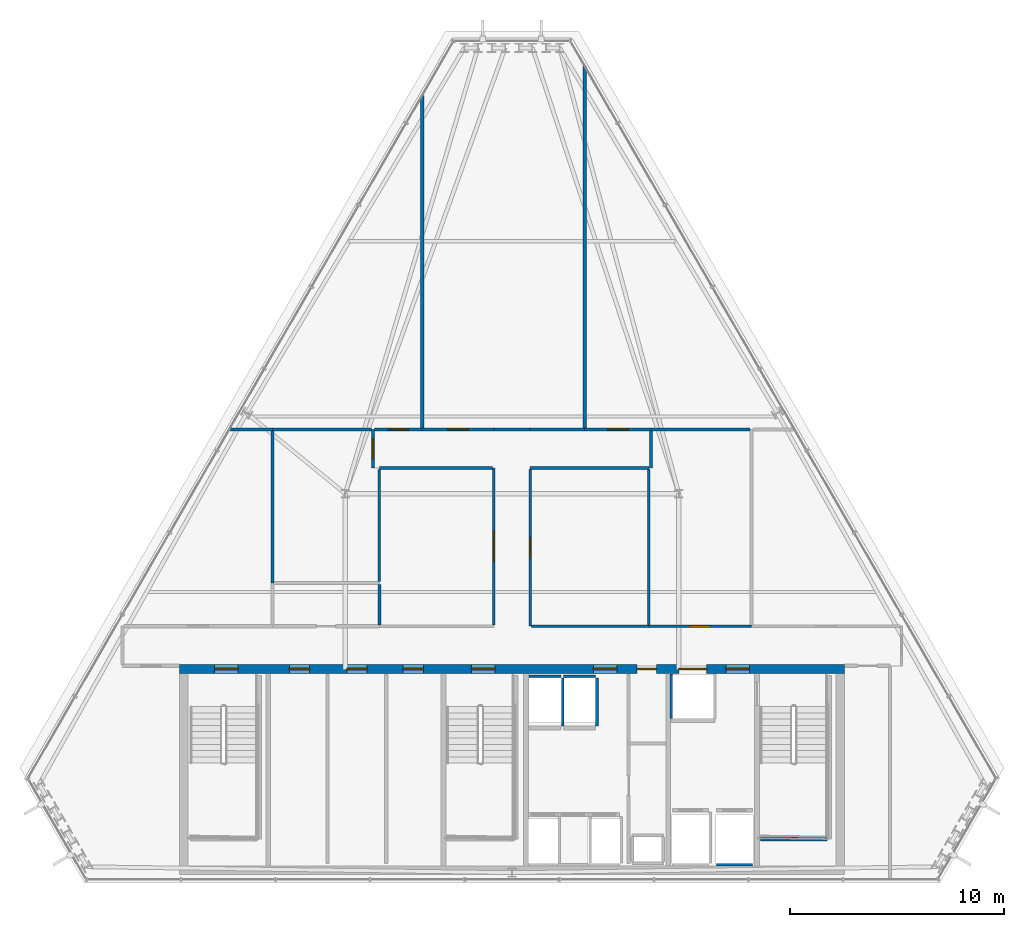
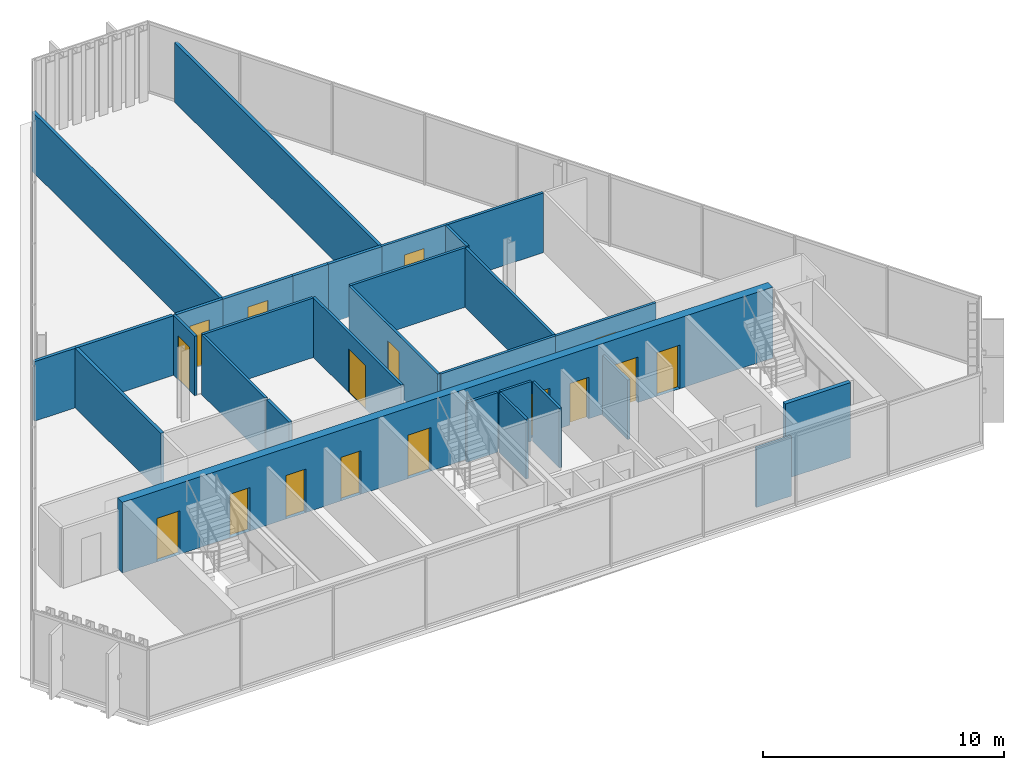
# One storey, part 30 of 34: 30 walls, 16 doors, 16 openings.
"""IFC4 building model written with IfcOpenShell, lengths in metres."""

import ifcopenshell
import ifcopenshell.guid

model = None  # the IFC model being written
_history = None  # IfcOwnerHistory: only IFC2X3 demands one
_inside = {}  # id of a spatial element -> (the spatial element, [elements in it])
_under = {}  # id of a project, library or spatial element -> (it, [spatial elements below it])
_declared = {}  # id of a project -> (the project, [libraries it declares])
_typed = {}  # id of a type object -> (the type object, [elements of that type])
_made_of = {}  # id of a material, layer set ... -> (it, [elements and type objects made of it])


def new_model(schema):
    """Start an empty IFC model of exactly this schema.

    Asked for "IFC4X3", IfcOpenShell would pick the latest addendum, in which some entities
    have other attributes; the version numbers below select the first issue.
    IFC2X3 requires an IfcOwnerHistory on every rooted entity: one is made here for all.
    """
    global model, _history
    if schema == "IFC4X3":
        model = ifcopenshell.file(schema_version=(4, 3, 0, 0))
    else:
        model = ifcopenshell.file(schema=schema)
    _inside.clear()
    _under.clear()
    _declared.clear()
    _typed.clear()
    _made_of.clear()
    _history = None
    if model.schema == "IFC2X3":
        org = make("IfcOrganization", Name="unknown")
        user = make(
            "IfcPersonAndOrganization",
            ThePerson=make("IfcPerson", FamilyName="unknown"),
            TheOrganization=org,
        )
        app = make(
            "IfcApplication",
            ApplicationDeveloper=org,
            Version="unknown",
            ApplicationFullName="unknown",
            ApplicationIdentifier="unknown",
        )
        _history = make(
            "IfcOwnerHistory",
            OwningUser=user,
            OwningApplication=app,
            ChangeAction="ADDED",
            CreationDate=0,
        )
    return model


def make(cls, **values):
    """One entity of the class cls with the attributes given. An attribute that is None is left unset."""
    return model.create_entity(
        cls, **{name: value for name, value in values.items() if value is not None}
    )


def rooted(cls, **values):
    """An entity with a GlobalId (a new one), such as an element, a storey or a relation."""
    return make(cls, GlobalId=ifcopenshell.guid.new(), OwnerHistory=_history, **values)


def si_unit(unit_type, name, prefix=None):
    """IfcSIUnit, for example si_unit("LENGTHUNIT", "METRE", prefix="MILLI")."""
    return make("IfcSIUnit", UnitType=unit_type, Prefix=prefix, Name=name)


def assignment(units):
    """IfcUnitAssignment: the units of a project."""
    return None if units is None else make("IfcUnitAssignment", Units=units)


def point(xyz):
    """IfcCartesianPoint."""
    return None if xyz is None else make("IfcCartesianPoint", Coordinates=xyz)


def direction(xyz):
    """IfcDirection."""
    return None if xyz is None else make("IfcDirection", DirectionRatios=xyz)


def frame(location, z_axis=None, x_axis=None):
    """IfcAxis2Placement3D, a coordinate frame: its origin and axes. An axis left out is left unset."""
    return make(
        "IfcAxis2Placement3D",
        Location=point(location),
        Axis=direction(z_axis),
        RefDirection=direction(x_axis),
    )


def frame_2d(location, x_axis=None):
    """IfcAxis2Placement2D, a coordinate frame in the plane: its origin and x axis."""
    return make(
        "IfcAxis2Placement2D", Location=point(location), RefDirection=direction(x_axis)
    )


def origin():
    """The frame at (0, 0, 0) with its axes left unset."""
    return frame((0.0, 0.0, 0.0))


def place(relative_to, where):
    """IfcLocalPlacement: puts the frame where relative to a parent placement (None: the world)."""
    return make(
        "IfcLocalPlacement", PlacementRelTo=relative_to, RelativePlacement=where
    )


def context(
    kind, dimensions, precision=None, world=None, true_north=None, identifier=None
):
    """IfcGeometricRepresentationContext, for example the 3D "Model" context."""
    return make(
        "IfcGeometricRepresentationContext",
        ContextIdentifier=identifier,
        ContextType=kind,
        CoordinateSpaceDimension=dimensions,
        Precision=precision,
        WorldCoordinateSystem=world,
        TrueNorth=true_north,
    )


def subcontext(parent, identifier, kind, view, scale=None):
    """IfcGeometricRepresentationSubContext, for example "Body" below "Model"."""
    return make(
        "IfcGeometricRepresentationSubContext",
        ContextIdentifier=identifier,
        ContextType=kind,
        ParentContext=parent,
        TargetScale=scale,
        TargetView=view,
    )


def project(units=None, contexts=None):
    """IfcProject with its units and contexts."""
    return rooted(
        "IfcProject",
        Name="project",
        RepresentationContexts=contexts,
        UnitsInContext=assignment(units),
    )


def spatial(cls, under=None, at=None, **own):
    """A site, building, storey or space (cls), placed at a placement, below another one or the project."""
    s = rooted(cls, ObjectPlacement=at, **own)
    if under is not None:
        _under.setdefault(under.id(), (under, []))[1].append(s)
    return s


def profile(cls, at=None, kind="AREA", **sizes):
    """A parametric profile (cls). Its sizes go by their IFC names, for example OverallWidth=200.0."""
    return make(cls, ProfileType=kind, Position=at, **sizes)


def rectangle(**sizes):
    """IfcRectangleProfileDef."""
    return profile("IfcRectangleProfileDef", **sizes)


def extrude(swept, where, along, depth):
    """IfcExtrudedAreaSolid: the profile swept, set in the frame where, extruded along a direction by depth."""
    return make(
        "IfcExtrudedAreaSolid",
        SweptArea=swept,
        Position=where,
        ExtrudedDirection=direction(along),
        Depth=depth,
    )


def shape(context_of_items, identifier, shape_type, items):
    """IfcShapeRepresentation: the items that make up one representation, for example the "Body"."""
    return make(
        "IfcShapeRepresentation",
        ContextOfItems=context_of_items,
        RepresentationIdentifier=identifier,
        RepresentationType=shape_type,
        Items=items,
    )


def material(Name=None, Category=None):
    """IfcMaterial."""
    return make("IfcMaterial", Name=Name, Category=Category)


def layer(
    of_material, thickness, ventilated=None, Name=None, Category=None, Priority=None
):
    """IfcMaterialLayer: one layer of a wall or slab, of a material (None: an air gap)."""
    return make(
        "IfcMaterialLayer",
        Material=of_material,
        LayerThickness=thickness,
        IsVentilated=ventilated,
        Name=Name,
        Category=Category,
        Priority=Priority,
    )


def layer_set(layers, Name=None):
    """IfcMaterialLayerSet."""
    return make("IfcMaterialLayerSet", MaterialLayers=layers, LayerSetName=Name)


def made_of(thing, what):
    """Note that an element or type object is made of a material, layer set ...; save() writes the relation."""
    if what is not None:
        _made_of.setdefault(what.id(), (what, []))[1].append(thing)
    return thing


def type_object(cls, material=None, **own):
    """A type object (cls), such as IfcWallType, which elements share."""
    return made_of(rooted(cls, **own), material)


def element(
    cls,
    number,
    at=None,
    inside=None,
    cuts=None,
    type_object=None,
    material=None,
    context=None,
    identifier="Body",
    shape_type=None,
    held_by="IfcProductDefinitionShape",
    body=None,
    shapes=None,
    **own,
):
    """One element of the class cls, such as IfcWall. Its Tag is "e" and its number.

    at: its placement. inside: the storey or other place that contains it. cuts: it is an
    opening in that element (IfcRelVoidsElement). A single representation is given by context,
    identifier, shape_type and body (its items); several are given by shapes. held_by: the class
    of the entity that holds the representations. save() writes the other relations.
    """
    e = rooted(cls, Tag="e%d" % number, ObjectPlacement=at, **own)
    if body is not None:
        shapes = [shape(context, identifier, shape_type, body)]
    if shapes is not None:
        e.Representation = make(held_by, Representations=shapes)
    if inside is not None:
        _inside.setdefault(inside.id(), (inside, []))[1].append(e)
    if cuts is not None:
        rooted(
            "IfcRelVoidsElement", RelatingBuildingElement=cuts, RelatedOpeningElement=e
        )
    if type_object is not None:
        _typed.setdefault(type_object.id(), (type_object, []))[1].append(e)
    return made_of(e, material)


def fill(opening, filler):
    """IfcRelFillsElement: the door or window that sits in an opening."""
    return rooted(
        "IfcRelFillsElement",
        RelatingOpeningElement=opening,
        RelatedBuildingElement=filler,
    )


def aggregate(whole, parts):
    """IfcRelAggregates: a whole, such as a stair, and the parts it consists of."""
    return rooted("IfcRelAggregates", RelatingObject=whole, RelatedObjects=parts)


def save(model, path):
    """Write the relations noted so far, then the file.

    IfcRelAggregates (storeys below a building ...), IfcRelContainedInSpatialStructure (elements
    in a storey), IfcRelDefinesByType, IfcRelAssociatesMaterial and IfcRelDeclares: one each for
    every whole, place, type object, material and project.
    """
    for whole, parts in _under.values():
        aggregate(whole, parts)
    for where, things in _inside.values():
        rooted(
            "IfcRelContainedInSpatialStructure",
            RelatedElements=things,
            RelatingStructure=where,
        )
    for kind, things in _typed.values():
        rooted("IfcRelDefinesByType", RelatedObjects=things, RelatingType=kind)
    for what, things in _made_of.values():
        rooted("IfcRelAssociatesMaterial", RelatedObjects=things, RelatingMaterial=what)
    for by, libraries in _declared.values():
        rooted("IfcRelDeclares", RelatingContext=by, RelatedDefinitions=libraries)
    model.write(path)


model = new_model("IFC4")

# Units and contexts
model_context = context("Model", 3, precision=1e-05, world=origin(), true_north=direction((0.0, 1.0)))
body_context = subcontext(model_context, "Body", "Model", "MODEL_VIEW")
ifc_project = project(units=[si_unit("LENGTHUNIT", "METRE"), si_unit("AREAUNIT", "SQUARE_METRE"), si_unit("VOLUMEUNIT", "CUBIC_METRE"), si_unit("PLANEANGLEUNIT", "RADIAN"), si_unit("MASSUNIT", "GRAM", prefix="KILO")], contexts=[model_context])

# Site, building, storey
site_placement = place(None, origin())
site = spatial("IfcSite", under=ifc_project, at=site_placement, CompositionType="ELEMENT")
building_placement = place(site_placement, origin())
building = spatial("IfcBuilding", under=site, at=building_placement, Name="Ndaravel Arena Tower", CompositionType="ELEMENT")
storey_placement = place(building_placement, frame((0.0, 0.0, 263.60009765625)))
storey = spatial("IfcBuildingStorey", under=building, at=storey_placement, Name="L64", CompositionType="ELEMENT", Elevation=263.60009765625)

# Wall, openings, doors
ifc_material_1 = material(Name="Concrete C50/60", Category="concrete")
ifc_layer_1 = layer(ifc_material_1, 0.39990234375)
ifc_layer_set_1 = layer_set([ifc_layer_1], Name="Concrete C50/60")
wall_type_1 = type_object("IfcWallType", Name="WALL-CORE-400", PredefinedType="SOLIDWALL", material=ifc_layer_set_1)
wall_1_placement = place(storey_placement, frame((26.449951171875, 15.0, 0.0), z_axis=(0.0, 0.0, 1.0), x_axis=(1.0, 0.0, 0.0)))
wall_1 = element("IfcWall", 1, at=wall_1_placement, inside=storey, type_object=wall_type_1, Name="L64 Core North Shear Wall", PredefinedType="SOLIDWALL", context=body_context, shape_type="SweptSolid", body=[
    extrude(rectangle(XDim=31.10009765625, YDim=0.39990234375, at=frame_2d((15.550048828125, 0.0))), origin(), (0.0, 0.0, 1.0), 3.579833984375),
])
opening_1_placement = place(wall_1_placement, frame((1.64990234375, 0.0, 0.0)))
opening_1 = element("IfcOpeningElement", 2, at=opening_1_placement, cuts=wall_1, Name="Opening FD-01", PredefinedType="OPENING", context=body_context, shape_type="SweptSolid", body=[
    extrude(rectangle(XDim=1.10009765625, YDim=2.199951171875, at=frame_2d((0.550048828125, 1.10009765625))), frame((0.0, 0.199951171875, 0.0), z_axis=(0.0, -1.0, 0.0), x_axis=(1.0, 0.0, 0.0)), (0.0, 0.0, 1.0), 0.39990234375),
])
opening_2_placement = place(wall_1_placement, frame((13.64990234375, 0.0, 0.0)))
opening_2 = element("IfcOpeningElement", 3, at=opening_2_placement, cuts=wall_1, Name="Opening FD-01", PredefinedType="OPENING", context=body_context, shape_type="SweptSolid", body=[
    extrude(rectangle(XDim=1.10009765625, YDim=2.199951171875, at=frame_2d((0.550048828125, 1.10009765625))), frame((0.0, 0.199951171875, 0.0), z_axis=(0.0, -1.0, 0.0), x_axis=(1.0, 0.0, 0.0)), (0.0, 0.0, 1.0), 0.39990234375),
])
opening_3_placement = place(wall_1_placement, frame((25.550048828125, 0.0, 0.0)))
opening_3 = element("IfcOpeningElement", 4, at=opening_3_placement, cuts=wall_1, Name="Opening FD-01", PredefinedType="OPENING", context=body_context, shape_type="SweptSolid", body=[
    extrude(rectangle(XDim=1.10009765625, YDim=2.199951171875, at=frame_2d((0.550048828125, 1.10009765625))), frame((0.0, 0.199951171875, 0.0), z_axis=(0.0, -1.0, 0.0), x_axis=(1.0, 0.0, 0.0)), (0.0, 0.0, 1.0), 0.39990234375),
])
opening_4_placement = place(wall_1_placement, frame((19.35009765625, 0.0, 0.0)))
opening_4 = element("IfcOpeningElement", 5, at=opening_4_placement, cuts=wall_1, Name="Opening FD-01", PredefinedType="OPENING", context=body_context, shape_type="SweptSolid", body=[
    extrude(rectangle(XDim=1.10009765625, YDim=2.199951171875, at=frame_2d((0.550048828125, 1.10009765625))), frame((0.0, 0.199951171875, 0.0), z_axis=(0.0, -1.0, 0.0), x_axis=(1.0, 0.0, 0.0)), (0.0, 0.0, 1.0), 0.39990234375),
])
opening_5_placement = place(wall_1_placement, frame((21.39990234375, 0.0, 0.0)))
opening_5 = element("IfcOpeningElement", 6, at=opening_5_placement, cuts=wall_1, Name="Opening RD-01", PredefinedType="OPENING", context=body_context, shape_type="SweptSolid", body=[
    extrude(rectangle(XDim=0.89990234375, YDim=2.10009765625, at=frame_2d((0.449951171875, 1.050048828125))), frame((0.0, 0.199951171875, 0.0), z_axis=(0.0, -1.0, 0.0), x_axis=(1.0, 0.0, 0.0)), (0.0, 0.0, 1.0), 0.39990234375),
])
opening_6_placement = place(wall_1_placement, frame((5.139892578125, 0.0, 0.0)))
opening_6 = element("IfcOpeningElement", 7, at=opening_6_placement, cuts=wall_1, Name="Opening FD-03", PredefinedType="OPENING", context=body_context, shape_type="SweptSolid", body=[
    extrude(rectangle(XDim=0.949951171875, YDim=2.199951171875, at=frame_2d((0.47509765625, 1.10009765625))), frame((0.0, 0.199951171875, 0.0), z_axis=(0.0, -1.0, 0.0), x_axis=(1.0, 0.0, 0.0)), (0.0, 0.0, 1.0), 0.39990234375),
])
opening_7_placement = place(wall_1_placement, frame((7.824951171875, 0.0, 0.0)))
opening_7 = element("IfcOpeningElement", 8, at=opening_7_placement, cuts=wall_1, Name="Opening FD-03", PredefinedType="OPENING", context=body_context, shape_type="SweptSolid", body=[
    extrude(rectangle(XDim=0.949951171875, YDim=2.199951171875, at=frame_2d((0.47509765625, 1.10009765625))), frame((0.0, 0.199951171875, 0.0), z_axis=(0.0, -1.0, 0.0), x_axis=(1.0, 0.0, 0.0)), (0.0, 0.0, 1.0), 0.39990234375),
])
opening_8_placement = place(wall_1_placement, frame((10.4599609375, 0.0, 0.0)))
opening_8 = element("IfcOpeningElement", 9, at=opening_8_placement, cuts=wall_1, Name="Opening FD-03", PredefinedType="OPENING", context=body_context, shape_type="SweptSolid", body=[
    extrude(rectangle(XDim=0.949951171875, YDim=2.199951171875, at=frame_2d((0.47509765625, 1.10009765625))), frame((0.0, 0.199951171875, 0.0), z_axis=(0.0, -1.0, 0.0), x_axis=(1.0, 0.0, 0.0)), (0.0, 0.0, 1.0), 0.39990234375),
])
opening_9_placement = place(wall_1_placement, frame((23.35009765625, 0.0, 0.0)))
opening_9 = element("IfcOpeningElement", 10, at=opening_9_placement, cuts=wall_1, Name="Opening LD-02", PredefinedType="OPENING", context=body_context, shape_type="SweptSolid", body=[
    extrude(rectangle(XDim=1.300048828125, YDim=2.300048828125, at=frame_2d((0.64990234375, 1.14990234375))), frame((0.0, 0.199951171875, 0.0), z_axis=(0.0, -1.0, 0.0), x_axis=(1.0, 0.0, 0.0)), (0.0, 0.0, 1.0), 0.39990234375),
])
ifc_material_2 = material(Name="Steel S355", Category="steel")
door_type_1 = type_object("IfcDoorType", Name="DT-01-STAIR-1100", OperationType="SINGLE_SWING_LEFT", PredefinedType="DOOR", material=ifc_material_2)
door_1_placement = place(opening_1_placement, origin())
door_1 = element("IfcDoor", 11, at=door_1_placement, inside=storey, type_object=door_type_1, Name="L64 Exit Stair ST-1 Door", OperationType="SINGLE_SWING_LEFT", OverallHeight=2.199951171875, OverallWidth=1.10009765625, PredefinedType="DOOR", context=body_context, shape_type="SweptSolid", body=[
    extrude(rectangle(XDim=1.10009765625, YDim=2.199951171875, at=frame_2d((0.550048828125, 1.10009765625))), frame((0.0, 0.02490234375, 0.0), z_axis=(0.0, -1.0, 0.0), x_axis=(1.0, 0.0, 0.0)), (0.0, 0.0, 1.0), 0.050048828125),
])
fill(opening_1, door_1)
door_2_placement = place(opening_2_placement, origin())
door_2 = element("IfcDoor", 12, at=door_2_placement, inside=storey, type_object=door_type_1, Name="L64 Exit Stair ST-2 Door", OperationType="SINGLE_SWING_RIGHT", OverallHeight=2.199951171875, OverallWidth=1.10009765625, PredefinedType="DOOR", context=body_context, shape_type="SweptSolid", body=[
    extrude(rectangle(XDim=1.10009765625, YDim=2.199951171875, at=frame_2d((0.550048828125, 1.10009765625))), frame((0.0, 0.02490234375, 0.0), z_axis=(0.0, -1.0, 0.0), x_axis=(1.0, 0.0, 0.0)), (0.0, 0.0, 1.0), 0.050048828125),
])
fill(opening_2, door_2)
door_3_placement = place(opening_3_placement, origin())
door_3 = element("IfcDoor", 13, at=door_3_placement, inside=storey, type_object=door_type_1, Name="L64 Firefighting Lift Lobby Door", OperationType="SINGLE_SWING_RIGHT", OverallHeight=2.199951171875, OverallWidth=1.10009765625, PredefinedType="DOOR", context=body_context, shape_type="SweptSolid", body=[
    extrude(rectangle(XDim=1.10009765625, YDim=2.199951171875, at=frame_2d((0.550048828125, 1.10009765625))), frame((0.0, 0.02490234375, 0.0), z_axis=(0.0, -1.0, 0.0), x_axis=(1.0, 0.0, 0.0)), (0.0, 0.0, 1.0), 0.050048828125),
])
fill(opening_3, door_3)
door_4_placement = place(opening_4_placement, origin())
door_4 = element("IfcDoor", 14, at=door_4_placement, inside=storey, type_object=door_type_1, Name="L64 Express Lift Lobby Entry Door", OperationType="SINGLE_SWING_LEFT", OverallHeight=2.199951171875, OverallWidth=1.10009765625, PredefinedType="DOOR", context=body_context, shape_type="SweptSolid", body=[
    extrude(rectangle(XDim=1.10009765625, YDim=2.199951171875, at=frame_2d((0.550048828125, 1.10009765625))), frame((0.0, 0.02490234375, 0.0), z_axis=(0.0, -1.0, 0.0), x_axis=(1.0, 0.0, 0.0)), (0.0, 0.0, 1.0), 0.050048828125),
])
fill(opening_4, door_4)
ifc_material_3 = material(Name="Steel S355", Category="steel")
door_type_2 = type_object("IfcDoorType", Name="DT-07-SVLIFT-1300", OperationType="DOUBLE_DOOR_SLIDING", PredefinedType="DOOR", material=ifc_material_3)
door_5_placement = place(opening_9_placement, origin())
door_5 = element("IfcDoor", 15, at=door_5_placement, inside=storey, type_object=door_type_2, Name="L64 Lift SVL-1 Sliding Landing Door", OperationType="DOUBLE_DOOR_SLIDING", OverallHeight=2.300048828125, OverallWidth=1.300048828125, PredefinedType="DOOR", context=body_context, shape_type="SweptSolid", body=[
    extrude(rectangle(XDim=1.300048828125, YDim=2.300048828125, at=frame_2d((0.64990234375, 1.14990234375))), frame((0.0, 0.02490234375, 0.0), z_axis=(0.0, -1.0, 0.0), x_axis=(1.0, 0.0, 0.0)), (0.0, 0.0, 1.0), 0.050048828125),
])
fill(opening_9, door_5)
ifc_material_4 = material(Name="Steel S355", Category="steel")
door_type_3 = type_object("IfcDoorType", Name="DT-08-RISER-900", OperationType="SINGLE_SWING_LEFT", PredefinedType="DOOR", material=ifc_material_4)
door_6_placement = place(opening_5_placement, origin())
door_6 = element("IfcDoor", 16, at=door_6_placement, inside=storey, type_object=door_type_3, Name="L64 Core Service Riser North Door", OperationType="SINGLE_SWING_LEFT", OverallHeight=2.10009765625, OverallWidth=0.89990234375, PredefinedType="DOOR", context=body_context, shape_type="SweptSolid", body=[
    extrude(rectangle(XDim=0.89990234375, YDim=2.10009765625, at=frame_2d((0.449951171875, 1.050048828125))), frame((0.0, 0.02490234375, 0.0), z_axis=(0.0, -1.0, 0.0), x_axis=(1.0, 0.0, 0.0)), (0.0, 0.0, 1.0), 0.050048828125),
])
fill(opening_5, door_6)
ifc_material_5 = material(Name="Steel S355", Category="steel")
door_type_4 = type_object("IfcDoorType", Name="DT-11-CORE-950", OperationType="SINGLE_SWING_LEFT", PredefinedType="DOOR", material=ifc_material_5)
door_7_placement = place(opening_6_placement, origin())
door_7 = element("IfcDoor", 17, at=door_7_placement, inside=storey, type_object=door_type_4, Name="L64 High-Zone Reclaimed Core Room 1 Door", OperationType="SINGLE_SWING_LEFT", OverallHeight=2.199951171875, OverallWidth=0.949951171875, PredefinedType="DOOR", context=body_context, shape_type="SweptSolid", body=[
    extrude(rectangle(XDim=0.949951171875, YDim=2.199951171875, at=frame_2d((0.47509765625, 1.10009765625))), frame((0.0, 0.02490234375, 0.0), z_axis=(0.0, -1.0, 0.0), x_axis=(1.0, 0.0, 0.0)), (0.0, 0.0, 1.0), 0.050048828125),
])
fill(opening_6, door_7)
door_8_placement = place(opening_7_placement, origin())
door_8 = element("IfcDoor", 18, at=door_8_placement, inside=storey, type_object=door_type_4, Name="L64 High-Zone Reclaimed Core Room 2 Door", OperationType="SINGLE_SWING_RIGHT", OverallHeight=2.199951171875, OverallWidth=0.949951171875, PredefinedType="DOOR", context=body_context, shape_type="SweptSolid", body=[
    extrude(rectangle(XDim=0.949951171875, YDim=2.199951171875, at=frame_2d((0.47509765625, 1.10009765625))), frame((0.0, 0.02490234375, 0.0), z_axis=(0.0, -1.0, 0.0), x_axis=(1.0, 0.0, 0.0)), (0.0, 0.0, 1.0), 0.050048828125),
])
fill(opening_7, door_8)
door_9_placement = place(opening_8_placement, origin())
door_9 = element("IfcDoor", 19, at=door_9_placement, inside=storey, type_object=door_type_4, Name="L64 High-Zone Reclaimed Core Room 3 Door", OperationType="SINGLE_SWING_LEFT", OverallHeight=2.199951171875, OverallWidth=0.949951171875, PredefinedType="DOOR", context=body_context, shape_type="SweptSolid", body=[
    extrude(rectangle(XDim=0.949951171875, YDim=2.199951171875, at=frame_2d((0.47509765625, 1.10009765625))), frame((0.0, 0.02490234375, 0.0), z_axis=(0.0, -1.0, 0.0), x_axis=(1.0, 0.0, 0.0)), (0.0, 0.0, 1.0), 0.050048828125),
])
fill(opening_8, door_9)

# Wall, opening, door
ifc_material_6 = material(Name="Gypsum", Category="gypsum")
ifc_layer_2 = layer(ifc_material_6, 0.125)
ifc_layer_set_2 = layer_set([ifc_layer_2], Name="Gypsum")
wall_type_2 = type_object("IfcWallType", Name="WALL-PART-125", PredefinedType="PARTITIONING", material=ifc_layer_set_2)
wall_2_placement = place(storey_placement, frame((41.14990234375, 17.06494140625, 0.0), z_axis=(0.0, 0.0, 1.0), x_axis=(0.0, 1.0, 0.0)))
wall_2 = element("IfcWall", 20, at=wall_2_placement, inside=storey, type_object=wall_type_2, Name="L64 Interior Partition 008", PredefinedType="PARTITIONING", context=body_context, shape_type="SweptSolid", body=[
    extrude(rectangle(XDim=7.3349609375, YDim=0.125, at=frame_2d((3.66748046875, 0.0))), origin(), (0.0, 0.0, 1.0), 3.010498046875),
])
opening_10_placement = place(wall_2_placement, frame((2.967529296875, 0.0, 0.0)))
opening_10 = element("IfcOpeningElement", 21, at=opening_10_placement, cuts=wall_2, Name="Opening ID-02", PredefinedType="OPENING", context=body_context, shape_type="SweptSolid", body=[
    extrude(rectangle(XDim=1.39990234375, YDim=2.199951171875, at=frame_2d((0.699951171875, 1.10009765625))), frame((0.0, 0.0625, 0.0), z_axis=(0.0, -1.0, 0.0), x_axis=(1.0, 0.0, 0.0)), (0.0, 0.0, 1.0), 0.125),
])
ifc_material_7 = material(Name="Timber", Category="wood")
door_type_5 = type_object("IfcDoorType", Name="DT-04-SUITE-1400", OperationType="DOUBLE_DOOR_SINGLE_SWING", PredefinedType="DOOR", material=ifc_material_7)
door_10_placement = place(opening_10_placement, origin())
door_10 = element("IfcDoor", 22, at=door_10_placement, inside=storey, type_object=door_type_5, Name="L64 Collaborative Lounge Door", OperationType="SINGLE_SWING_LEFT", OverallHeight=2.199951171875, OverallWidth=1.39990234375, PredefinedType="DOOR", context=body_context, shape_type="SweptSolid", body=[
    extrude(rectangle(XDim=1.39990234375, YDim=2.199951171875, at=frame_2d((0.699951171875, 1.10009765625))), frame((0.0, 0.02490234375, 0.0), z_axis=(0.0, -1.0, 0.0), x_axis=(1.0, 0.0, 0.0)), (0.0, 0.0, 1.0), 0.050048828125),
])
fill(opening_10, door_10)

# Wall
wall_3_placement = place(storey_placement, frame((41.0849609375, 24.39990234375, 0.0), z_axis=(0.0, 0.0, 1.0), x_axis=(-1.0, 0.0, 0.0)))
element("IfcWall", 23, at=wall_3_placement, inside=storey, type_object=wall_type_2, Name="L64 Interior Partition 009", PredefinedType="PARTITIONING", context=body_context, shape_type="SweptSolid", body=[
    extrude(rectangle(XDim=5.284912109375, YDim=0.125, at=frame_2d((2.642578125, 0.0))), origin(), (0.0, 0.0, 1.0), 3.010498046875),
])

# Wall, opening, door
wall_4_placement = place(storey_placement, frame((35.5, 24.39990234375, 0.0), z_axis=(0.0, 0.0, 1.0), x_axis=(0.0, 1.0, 0.0)))
wall_4 = element("IfcWall", 24, at=wall_4_placement, inside=storey, type_object=wall_type_2, Name="L64 Interior Partition 010", PredefinedType="PARTITIONING", context=body_context, shape_type="SweptSolid", body=[
    extrude(rectangle(XDim=1.800048828125, YDim=0.125, at=frame_2d((0.89990234375, 0.0))), origin(), (0.0, 0.0, 1.0), 3.010498046875),
])
opening_11_placement = place(wall_4_placement, frame((0.425048828125, 0.0, 0.0)))
opening_11 = element("IfcOpeningElement", 25, at=opening_11_placement, cuts=wall_4, Name="Opening ID-01", PredefinedType="OPENING", context=body_context, shape_type="SweptSolid", body=[
    extrude(rectangle(XDim=0.949951171875, YDim=2.199951171875, at=frame_2d((0.47509765625, 1.10009765625))), frame((0.0, 0.0625, 0.0), z_axis=(0.0, -1.0, 0.0), x_axis=(1.0, 0.0, 0.0)), (0.0, 0.0, 1.0), 0.125),
])
ifc_material_8 = material(Name="Timber", Category="wood")
door_type_6 = type_object("IfcDoorType", Name="DT-03-OFFICE-950", OperationType="SINGLE_SWING_LEFT", PredefinedType="DOOR", material=ifc_material_8)
door_11_placement = place(opening_11_placement, origin())
door_11 = element("IfcDoor", 26, at=door_11_placement, inside=storey, type_object=door_type_6, Name="L64 Medical First Aid Clinic 3 Door", OperationType="SINGLE_SWING_RIGHT", OverallHeight=2.199951171875, OverallWidth=0.949951171875, PredefinedType="DOOR", context=body_context, shape_type="SweptSolid", body=[
    extrude(rectangle(XDim=0.949951171875, YDim=2.199951171875, at=frame_2d((0.47509765625, 1.10009765625))), frame((0.0, 0.02490234375, 0.0), z_axis=(0.0, -1.0, 0.0), x_axis=(1.0, 0.0, 0.0)), (0.0, 0.0, 1.0), 0.050048828125),
])
fill(opening_11, door_11)

wall_5_placement = place(storey_placement, frame((45.39990234375, 26.199951171875, 0.0), z_axis=(0.0, 0.0, 1.0), x_axis=(1.0, 0.0, 0.0)))
wall_5 = element("IfcWall", 27, at=wall_5_placement, inside=storey, type_object=wall_type_2, Name="L64 Interior Partition 015", PredefinedType="PARTITIONING", context=body_context, shape_type="SweptSolid", body=[
    extrude(rectangle(XDim=3.10009765625, YDim=0.125, at=frame_2d((1.550048828125, 0.0))), origin(), (0.0, 0.0, 1.0), 3.010498046875),
])
opening_12_placement = place(wall_5_placement, frame((1.074951171875, 0.0, 0.0)))
opening_12 = element("IfcOpeningElement", 28, at=opening_12_placement, cuts=wall_5, Name="Opening ID-01", PredefinedType="OPENING", context=body_context, shape_type="SweptSolid", body=[
    extrude(rectangle(XDim=0.949951171875, YDim=2.199951171875, at=frame_2d((0.47509765625, 1.10009765625))), frame((0.0, 0.0625, 0.0), z_axis=(0.0, -1.0, 0.0), x_axis=(1.0, 0.0, 0.0)), (0.0, 0.0, 1.0), 0.125),
])
door_12_placement = place(opening_12_placement, origin())
door_12 = element("IfcDoor", 29, at=door_12_placement, inside=storey, type_object=door_type_6, Name="L64 Physio Therapy Room 4 Door", OperationType="SINGLE_SWING_RIGHT", OverallHeight=2.199951171875, OverallWidth=0.949951171875, PredefinedType="DOOR", context=body_context, shape_type="SweptSolid", body=[
    extrude(rectangle(XDim=0.949951171875, YDim=2.199951171875, at=frame_2d((0.47509765625, 1.10009765625))), frame((0.0, 0.02490234375, 0.0), z_axis=(0.0, -1.0, 0.0), x_axis=(1.0, 0.0, 0.0)), (0.0, 0.0, 1.0), 0.050048828125),
])
fill(opening_12, door_12)

# Walls
wall_6_placement = place(storey_placement, frame((48.5, 26.135009765625, 0.0), z_axis=(0.0, 0.0, 1.0), x_axis=(0.0, -1.0, 0.0)))
element("IfcWall", 30, at=wall_6_placement, inside=storey, type_object=wall_type_2, Name="L64 Interior Partition 016", PredefinedType="PARTITIONING", context=body_context, shape_type="SweptSolid", body=[
    extrude(rectangle(XDim=1.735107421875, YDim=0.125, at=frame_2d((0.86767578125, 0.0))), origin(), (0.0, 0.0, 1.0), 3.010498046875),
])
wall_7_placement = place(storey_placement, frame((48.39990234375, 24.39990234375, 0.0), z_axis=(0.0, 0.0, 1.0), x_axis=(-1.0, 0.0, 0.0)))
element("IfcWall", 31, at=wall_7_placement, inside=storey, type_object=wall_type_2, Name="L64 Interior Partition 017", PredefinedType="PARTITIONING", context=body_context, shape_type="SweptSolid", body=[
    extrude(rectangle(XDim=5.5498046875, YDim=0.125, at=frame_2d((2.77490234375, 0.0))), origin(), (0.0, 0.0, 1.0), 3.010498046875),
])

# Wall, opening, door
wall_8_placement = place(storey_placement, frame((42.85009765625, 24.3349609375, 0.0), z_axis=(0.0, 0.0, 1.0), x_axis=(0.0, -1.0, 0.0)))
wall_8 = element("IfcWall", 32, at=wall_8_placement, inside=storey, type_object=wall_type_2, Name="L64 Interior Partition 018", PredefinedType="PARTITIONING", context=body_context, shape_type="SweptSolid", body=[
    extrude(rectangle(XDim=7.3349609375, YDim=0.125, at=frame_2d((3.66748046875, 0.0))), origin(), (0.0, 0.0, 1.0), 3.010498046875),
])
opening_13_placement = place(wall_8_placement, frame((3.1923828125, 0.0, 0.0)))
opening_13 = element("IfcOpeningElement", 33, at=opening_13_placement, cuts=wall_8, Name="Opening ID-01", PredefinedType="OPENING", context=body_context, shape_type="SweptSolid", body=[
    extrude(rectangle(XDim=0.949951171875, YDim=2.199951171875, at=frame_2d((0.47509765625, 1.10009765625))), frame((0.0, 0.0625, 0.0), z_axis=(0.0, -1.0, 0.0), x_axis=(1.0, 0.0, 0.0)), (0.0, 0.0, 1.0), 0.125),
])
door_13_placement = place(opening_13_placement, origin())
door_13 = element("IfcDoor", 34, at=door_13_placement, inside=storey, type_object=door_type_6, Name="L64 Design Bookshop Boutique Door", OperationType="SINGLE_SWING_RIGHT", OverallHeight=2.199951171875, OverallWidth=0.949951171875, PredefinedType="DOOR", context=body_context, shape_type="SweptSolid", body=[
    extrude(rectangle(XDim=0.949951171875, YDim=2.199951171875, at=frame_2d((0.47509765625, 1.10009765625))), frame((0.0, 0.02490234375, 0.0), z_axis=(0.0, -1.0, 0.0), x_axis=(1.0, 0.0, 0.0)), (0.0, 0.0, 1.0), 0.050048828125),
])
fill(opening_13, door_13)

# Wall
wall_9_placement = place(storey_placement, frame((42.9150390625, 17.0, 0.0), z_axis=(0.0, 0.0, 1.0), x_axis=(1.0, 0.0, 0.0)))
element("IfcWall", 35, at=wall_9_placement, inside=storey, type_object=wall_type_2, Name="L64 Interior Partition 019", PredefinedType="PARTITIONING", context=body_context, shape_type="SweptSolid", body=[
    extrude(rectangle(XDim=5.48486328125, YDim=0.125, at=frame_2d((2.742431640625, 0.0))), origin(), (0.0, 0.0, 1.0), 3.010498046875),
])

# Wall, opening, door
wall_10_placement = place(storey_placement, frame((48.39990234375, 17.0, 0.0), z_axis=(0.0, 0.0, 1.0), x_axis=(1.0, 0.0, 0.0)))
wall_10 = element("IfcWall", 36, at=wall_10_placement, inside=storey, type_object=wall_type_2, Name="L64 Interior Partition 020", PredefinedType="PARTITIONING", context=body_context, shape_type="SweptSolid", body=[
    extrude(rectangle(XDim=4.800048828125, YDim=0.125, at=frame_2d((2.39990234375, 0.0))), origin(), (0.0, 0.0, 1.0), 3.010498046875),
])
opening_14_placement = place(wall_10_placement, frame((1.925048828125, 0.0, 0.0)))
opening_14 = element("IfcOpeningElement", 37, at=opening_14_placement, cuts=wall_10, Name="Opening ID-01", PredefinedType="OPENING", context=body_context, shape_type="SweptSolid", body=[
    extrude(rectangle(XDim=0.949951171875, YDim=2.199951171875, at=frame_2d((0.47509765625, 1.10009765625))), frame((0.0, 0.0625, 0.0), z_axis=(0.0, -1.0, 0.0), x_axis=(1.0, 0.0, 0.0)), (0.0, 0.0, 1.0), 0.125),
])
door_14_placement = place(opening_14_placement, origin())
door_14 = element("IfcDoor", 38, at=door_14_placement, inside=storey, type_object=door_type_6, Name="L64 Occupational Consult Room 2 Door", OperationType="SINGLE_SWING_LEFT", OverallHeight=2.199951171875, OverallWidth=0.949951171875, PredefinedType="DOOR", context=body_context, shape_type="SweptSolid", body=[
    extrude(rectangle(XDim=0.949951171875, YDim=2.199951171875, at=frame_2d((0.47509765625, 1.10009765625))), frame((0.0, 0.02490234375, 0.0), z_axis=(0.0, -1.0, 0.0), x_axis=(1.0, 0.0, 0.0)), (0.0, 0.0, 1.0), 0.050048828125),
])
fill(opening_14, door_14)

# Walls
wall_11_placement = place(storey_placement, frame((35.800048828125, 19.089111328125, 0.0), z_axis=(0.0, 0.0, 1.0), x_axis=(0.0, 1.0, 0.0)))
element("IfcWall", 39, at=wall_11_placement, inside=storey, type_object=wall_type_2, Name="L64 Interior Partition 026", PredefinedType="PARTITIONING", context=body_context, shape_type="SweptSolid", body=[
    extrude(rectangle(XDim=5.245849609375, YDim=0.125, at=frame_2d((2.623046875, 0.0))), origin(), (0.0, 0.0, 1.0), 3.010498046875),
])
wall_12_placement = place(storey_placement, frame((48.39990234375, 24.3349609375, 0.0), z_axis=(0.0, 0.0, 1.0), x_axis=(0.0, -1.0, 0.0)))
element("IfcWall", 40, at=wall_12_placement, inside=storey, type_object=wall_type_2, Name="L64 Interior Partition 027", PredefinedType="PARTITIONING", context=body_context, shape_type="SweptSolid", body=[
    extrude(rectangle(XDim=7.27001953125, YDim=0.125, at=frame_2d((3.635009765625, 0.0))), origin(), (0.0, 0.0, 1.0), 3.010498046875),
])
wall_13_placement = place(storey_placement, frame((48.5, 26.199951171875, 0.0), z_axis=(0.0, 0.0, 1.0), x_axis=(1.0, 0.0, 0.0)))
element("IfcWall", 41, at=wall_13_placement, inside=storey, type_object=wall_type_2, Name="L64 Interior Partition 032", PredefinedType="PARTITIONING", context=body_context, shape_type="SweptSolid", body=[
    extrude(rectangle(XDim=4.635009765625, YDim=0.125, at=frame_2d((2.3173828125, 0.0))), origin(), (0.0, 0.0, 1.0), 3.010498046875),
])
ifc_material_9 = material(Name="Concrete C40/50", Category="concrete")
ifc_layer_3 = layer(ifc_material_9, 0.1201171875)
ifc_layer_set_3 = layer_set([ifc_layer_3], Name="Concrete C40/50")
wall_type_3 = type_object("IfcWallType", Name="WALL-SHAFT-120", PredefinedType="SOLIDWALL", material=ifc_layer_set_3)
wall_14_placement = place(storey_placement, frame((42.804931640625, 14.659912109375, 0.0), z_axis=(0.0, 0.0, 1.0), x_axis=(1.0, 0.0, 0.0)))
element("IfcWall", 42, at=wall_14_placement, inside=storey, type_object=wall_type_3, Name="L64 PL-OBS1 Shaft Rear Wall", PredefinedType="SOLIDWALL", context=body_context, shape_type="SweptSolid", body=[
    extrude(rectangle(XDim=1.489990234375, YDim=0.1201171875, at=frame_2d((0.7451171875, 0.0))), origin(), (0.0, 0.0, 1.0), 3.010498046875),
])
wall_15_placement = place(storey_placement, frame((44.375, 12.340087890625, 0.0), z_axis=(0.0, 0.0, 1.0), x_axis=(0.0, 1.0, 0.0)))
element("IfcWall", 43, at=wall_15_placement, inside=storey, type_object=wall_type_3, Name="L64 PL-OBS1 Shaft Side R Wall", PredefinedType="SOLIDWALL", context=body_context, shape_type="SweptSolid", body=[
    extrude(rectangle(XDim=2.22998046875, YDim=0.1201171875, at=frame_2d((1.114990234375, 0.0))), origin(), (0.0, 0.0, 1.0), 3.010498046875),
])
wall_16_placement = place(storey_placement, frame((44.405029296875, 14.659912109375, 0.0), z_axis=(0.0, 0.0, 1.0), x_axis=(1.0, 0.0, 0.0)))
element("IfcWall", 44, at=wall_16_placement, inside=storey, type_object=wall_type_3, Name="L64 PL-OBS2 Shaft Rear Wall", PredefinedType="SOLIDWALL", context=body_context, shape_type="SweptSolid", body=[
    extrude(rectangle(XDim=1.489990234375, YDim=0.1201171875, at=frame_2d((0.7451171875, 0.0))), origin(), (0.0, 0.0, 1.0), 3.010498046875),
])
wall_17_placement = place(storey_placement, frame((45.97509765625, 12.340087890625, 0.0), z_axis=(0.0, 0.0, 1.0), x_axis=(0.0, 1.0, 0.0)))
element("IfcWall", 45, at=wall_17_placement, inside=storey, type_object=wall_type_3, Name="L64 PL-OBS2 Shaft Side R Wall", PredefinedType="SOLIDWALL", context=body_context, shape_type="SweptSolid", body=[
    extrude(rectangle(XDim=2.22998046875, YDim=0.1201171875, at=frame_2d((1.114990234375, 0.0))), origin(), (0.0, 0.0, 1.0), 3.010498046875),
])
wall_18_placement = place(storey_placement, frame((51.554931640625, 5.840087890625, 0.0), z_axis=(0.0, 0.0, 1.0), x_axis=(1.0, 0.0, 0.0)))
element("IfcWall", 46, at=wall_18_placement, inside=storey, type_object=wall_type_3, Name="L64 FFL-2 Shaft Rear Wall", PredefinedType="SOLIDWALL", context=body_context, shape_type="SweptSolid", body=[
    extrude(rectangle(XDim=1.690185546875, YDim=0.1201171875, at=frame_2d((0.84521484375, 0.0))), origin(), (0.0, 0.0, 1.0), 3.010498046875),
])
wall_19_placement = place(storey_placement, frame((49.43994140625, 12.68994140625, 0.0), z_axis=(0.0, 0.0, 1.0), x_axis=(0.0, 1.0, 0.0)))
element("IfcWall", 47, at=wall_19_placement, inside=storey, type_object=wall_type_3, Name="L64 SVL-1 Shaft W Wall", PredefinedType="SOLIDWALL", context=body_context, shape_type="SweptSolid", body=[
    extrude(rectangle(XDim=2.070068359375, YDim=0.1201171875, at=frame_2d((1.03515625, 0.0))), origin(), (0.0, 0.0, 1.0), 3.010498046875),
])
ifc_material_10 = material(Name="Concrete C40/50", Category="concrete")
ifc_layer_4 = layer(ifc_material_10, 0.199951171875)
ifc_layer_set_4 = layer_set([ifc_layer_4], Name="Concrete C40/50")
wall_type_4 = type_object("IfcWallType", Name="WALL-SHAFT-200", PredefinedType="SOLIDWALL", material=ifc_layer_set_4)
wall_20_placement = place(storey_placement, frame((53.6201171875, 7.050048828125, 0.0), z_axis=(0.0, 0.0, 1.0), x_axis=(1.0, 0.0, 0.0)))
element("IfcWall", 48, at=wall_20_placement, inside=storey, type_object=wall_type_4, Name="L64 ST-3 Structural Shaft Wall Far", PredefinedType="SOLIDWALL", context=body_context, shape_type="SweptSolid", body=[
    extrude(rectangle(XDim=3.114990234375, YDim=0.199951171875, at=frame_2d((1.5576171875, 0.0))), origin(), (0.0, 0.0, 1.0), 3.7998046875),
])

# Wall, opening, door
ifc_material_11 = material(Name="Masonry", Category="masonry")
ifc_layer_5 = layer(ifc_material_11, 0.14990234375)
ifc_layer_set_5 = layer_set([ifc_layer_5], Name="Masonry")
wall_type_5 = type_object("IfcWallType", Name="WALL-WET-150", PredefinedType="PARTITIONING", material=ifc_layer_set_5)
wall_21_placement = place(storey_placement, frame((35.56494140625, 26.199951171875, 0.0), z_axis=(0.0, 0.0, 1.0), x_axis=(1.0, 0.0, 0.0)))
wall_21 = element("IfcWall", 49, at=wall_21_placement, inside=storey, type_object=wall_type_5, Name="L64 Interior Partition 011", PredefinedType="PARTITIONING", context=body_context, shape_type="SweptSolid", body=[
    extrude(rectangle(XDim=2.235107421875, YDim=0.14990234375, at=frame_2d((1.11767578125, 0.0))), origin(), (0.0, 0.0, 1.0), 3.010498046875),
])
opening_15_placement = place(wall_21_placement, frame((0.642578125, 0.0, 0.0)))
opening_15 = element("IfcOpeningElement", 50, at=opening_15_placement, cuts=wall_21, Name="Opening FD-03", PredefinedType="OPENING", context=body_context, shape_type="SweptSolid", body=[
    extrude(rectangle(XDim=0.949951171875, YDim=2.199951171875, at=frame_2d((0.47509765625, 1.10009765625))), frame((0.0, 0.074951171875, 0.0), z_axis=(0.0, -1.0, 0.0), x_axis=(1.0, 0.0, 0.0)), (0.0, 0.0, 1.0), 0.14990234375),
])
door_15_placement = place(opening_15_placement, origin())
door_15 = element("IfcDoor", 51, at=door_15_placement, inside=storey, type_object=door_type_4, Name="L64 Floor Servery Kitchen 4 Door", OperationType="SINGLE_SWING_LEFT", OverallHeight=2.199951171875, OverallWidth=0.949951171875, PredefinedType="DOOR", context=body_context, shape_type="SweptSolid", body=[
    extrude(rectangle(XDim=0.949951171875, YDim=2.199951171875, at=frame_2d((0.47509765625, 1.10009765625))), frame((0.0, 0.02490234375, 0.0), z_axis=(0.0, -1.0, 0.0), x_axis=(1.0, 0.0, 0.0)), (0.0, 0.0, 1.0), 0.050048828125),
])
fill(opening_15, door_15)

wall_22_placement = place(storey_placement, frame((37.800048828125, 26.199951171875, 0.0), z_axis=(0.0, 0.0, 1.0), x_axis=(1.0, 0.0, 0.0)))
wall_22 = element("IfcWall", 52, at=wall_22_placement, inside=storey, type_object=wall_type_5, Name="L64 Interior Partition 012", PredefinedType="PARTITIONING", context=body_context, shape_type="SweptSolid", body=[
    extrude(rectangle(XDim=3.349853515625, YDim=0.14990234375, at=frame_2d((1.6748046875, 0.0))), origin(), (0.0, 0.0, 1.0), 3.010498046875),
])
opening_16_placement = place(wall_22_placement, frame((1.199951171875, 0.0, 0.0)))
opening_16 = element("IfcOpeningElement", 53, at=opening_16_placement, cuts=wall_22, Name="Opening FD-03", PredefinedType="OPENING", context=body_context, shape_type="SweptSolid", body=[
    extrude(rectangle(XDim=0.949951171875, YDim=2.199951171875, at=frame_2d((0.47509765625, 1.10009765625))), frame((0.0, 0.074951171875, 0.0), z_axis=(0.0, -1.0, 0.0), x_axis=(1.0, 0.0, 0.0)), (0.0, 0.0, 1.0), 0.14990234375),
])
door_16_placement = place(opening_16_placement, origin())
door_16 = element("IfcDoor", 54, at=door_16_placement, inside=storey, type_object=door_type_4, Name="L64 Staff Espresso Kitchen 5 Door", OperationType="SINGLE_SWING_LEFT", OverallHeight=2.199951171875, OverallWidth=0.949951171875, PredefinedType="DOOR", context=body_context, shape_type="SweptSolid", body=[
    extrude(rectangle(XDim=0.949951171875, YDim=2.199951171875, at=frame_2d((0.47509765625, 1.10009765625))), frame((0.0, 0.02490234375, 0.0), z_axis=(0.0, -1.0, 0.0), x_axis=(1.0, 0.0, 0.0)), (0.0, 0.0, 1.0), 0.050048828125),
])
fill(opening_16, door_16)

# Walls
wall_23_placement = place(storey_placement, frame((41.14990234375, 26.199951171875, 0.0), z_axis=(0.0, 0.0, 1.0), x_axis=(1.0, 0.0, 0.0)))
element("IfcWall", 55, at=wall_23_placement, inside=storey, type_object=wall_type_5, Name="L64 Interior Partition 013", PredefinedType="PARTITIONING", context=body_context, shape_type="SweptSolid", body=[
    extrude(rectangle(XDim=1.7001953125, YDim=0.14990234375, at=frame_2d((0.85009765625, 0.0))), origin(), (0.0, 0.0, 1.0), 3.010498046875),
])
wall_24_placement = place(storey_placement, frame((42.85009765625, 26.199951171875, 0.0), z_axis=(0.0, 0.0, 1.0), x_axis=(1.0, 0.0, 0.0)))
element("IfcWall", 56, at=wall_24_placement, inside=storey, type_object=wall_type_5, Name="L64 Interior Partition 014", PredefinedType="PARTITIONING", context=body_context, shape_type="SweptSolid", body=[
    extrude(rectangle(XDim=2.5498046875, YDim=0.14990234375, at=frame_2d((1.27490234375, 0.0))), origin(), (0.0, 0.0, 1.0), 3.010498046875),
])
wall_25_placement = place(storey_placement, frame((35.800048828125, 18.958984375, 0.0), z_axis=(0.0, 0.0, 1.0), x_axis=(0.0, -1.0, 0.0)))
element("IfcWall", 57, at=wall_25_placement, inside=storey, type_object=wall_type_5, Name="L64 Interior Partition 025", PredefinedType="PARTITIONING", context=body_context, shape_type="SweptSolid", body=[
    extrude(rectangle(XDim=1.89404296875, YDim=0.14990234375, at=frame_2d((0.947021484375, 0.0))), origin(), (0.0, 0.0, 1.0), 3.010498046875),
])
wall_26_placement = place(storey_placement, frame((28.785888671875, 26.199951171875, 0.0), z_axis=(0.0, 0.0, 1.0), x_axis=(1.0, 0.0, 0.0)))
element("IfcWall", 58, at=wall_26_placement, inside=storey, type_object=wall_type_5, Name="L64 Interior Partition 028", PredefinedType="PARTITIONING", context=body_context, shape_type="SweptSolid", body=[
    extrude(rectangle(XDim=2.01416015625, YDim=0.14990234375, at=frame_2d((1.007080078125, 0.0))), origin(), (0.0, 0.0, 1.0), 3.010498046875),
])
wall_27_placement = place(storey_placement, frame((30.800048828125, 26.135009765625, 0.0), z_axis=(0.0, 0.0, 1.0), x_axis=(0.0, -1.0, 0.0)))
element("IfcWall", 59, at=wall_27_placement, inside=storey, type_object=wall_type_5, Name="L64 Interior Partition 029", PredefinedType="PARTITIONING", context=body_context, shape_type="SweptSolid", body=[
    extrude(rectangle(XDim=7.111083984375, YDim=0.14990234375, at=frame_2d((3.5556640625, 0.0))), origin(), (0.0, 0.0, 1.0), 3.010498046875),
])
wall_28_placement = place(storey_placement, frame((30.800048828125, 26.199951171875, 0.0), z_axis=(0.0, 0.0, 1.0), x_axis=(1.0, 0.0, 0.0)))
element("IfcWall", 60, at=wall_28_placement, inside=storey, type_object=wall_type_5, Name="L64 Interior Partition 033", PredefinedType="PARTITIONING", context=body_context, shape_type="SweptSolid", body=[
    extrude(rectangle(XDim=4.635009765625, YDim=0.14990234375, at=frame_2d((2.3173828125, 0.0))), origin(), (0.0, 0.0, 1.0), 3.010498046875),
])
wall_29_placement = place(storey_placement, frame((37.800048828125, 41.812744140625, 0.0), z_axis=(0.0, 0.0, 1.0), x_axis=(0.0, -1.0, 0.0)))
element("IfcWall", 61, at=wall_29_placement, inside=storey, type_object=wall_type_5, Name="L64 Interior Partition 034", PredefinedType="PARTITIONING", context=body_context, shape_type="SweptSolid", body=[
    extrude(rectangle(XDim=15.5478515625, YDim=0.14990234375, at=frame_2d((7.77392578125, 0.0))), origin(), (0.0, 0.0, 1.0), 3.010498046875),
])
wall_30_placement = place(storey_placement, frame((45.39990234375, 26.264892578125, 0.0), z_axis=(0.0, 0.0, 1.0), x_axis=(0.0, 1.0, 0.0)))
element("IfcWall", 62, at=wall_30_placement, inside=storey, type_object=wall_type_5, Name="L64 Interior Partition 035", PredefinedType="PARTITIONING", context=body_context, shape_type="SweptSolid", body=[
    extrude(rectangle(XDim=16.933349609375, YDim=0.14990234375, at=frame_2d((8.466796875, 0.0))), origin(), (0.0, 0.0, 1.0), 3.010498046875),
])

save(model, "model.ifc")
